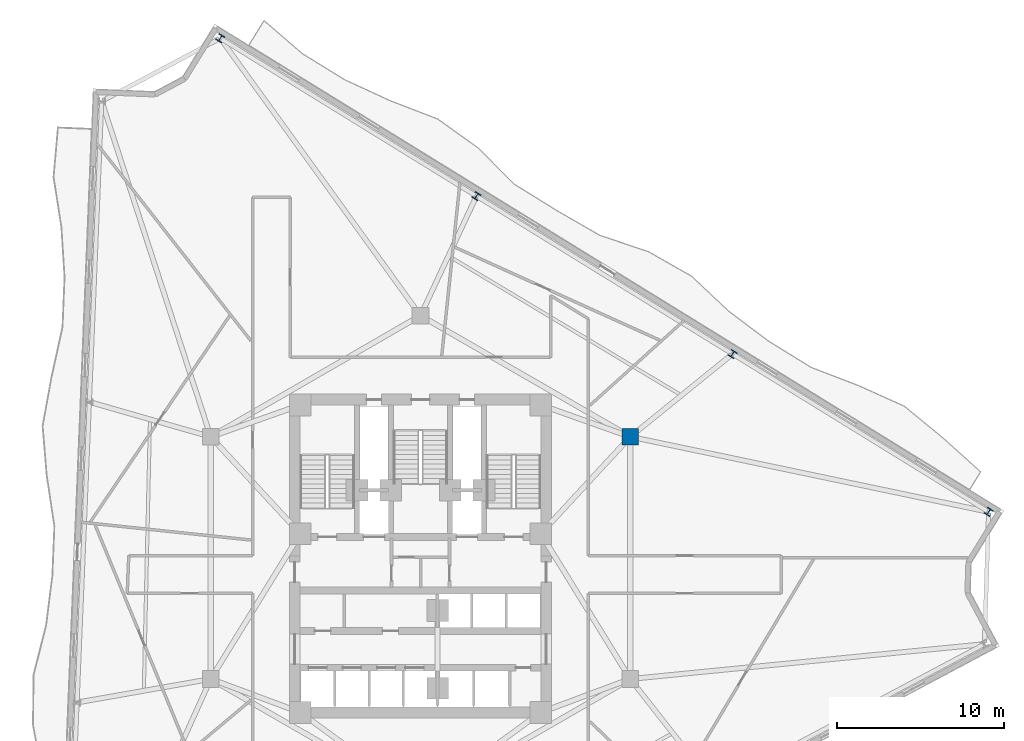
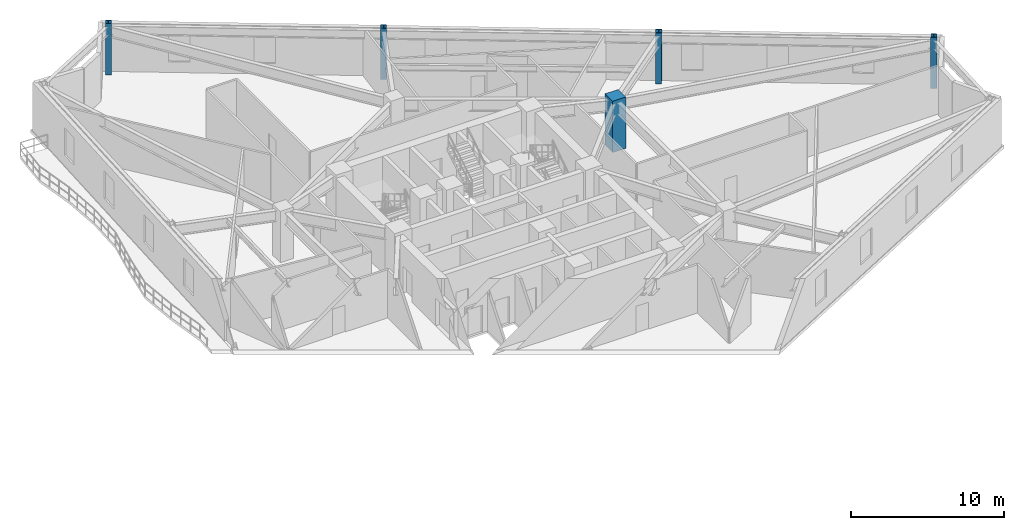
# One storey, part 2 of 10: 5 columns.
"""IFC4 building model written with IfcOpenShell, lengths in metres."""

import ifcopenshell
import ifcopenshell.guid

model = None  # the IFC model being written
_history = None  # IfcOwnerHistory: only IFC2X3 demands one
_inside = {}  # id of a spatial element -> (the spatial element, [elements in it])
_under = {}  # id of a project, library or spatial element -> (it, [spatial elements below it])
_declared = {}  # id of a project -> (the project, [libraries it declares])
_typed = {}  # id of a type object -> (the type object, [elements of that type])
_made_of = {}  # id of a material, layer set ... -> (it, [elements and type objects made of it])


def new_model(schema):
    """Start an empty IFC model of exactly this schema.

    Asked for "IFC4X3", IfcOpenShell would pick the latest addendum, in which some entities
    have other attributes; the version numbers below select the first issue.
    IFC2X3 requires an IfcOwnerHistory on every rooted entity: one is made here for all.
    """
    global model, _history
    if schema == "IFC4X3":
        model = ifcopenshell.file(schema_version=(4, 3, 0, 0))
    else:
        model = ifcopenshell.file(schema=schema)
    _inside.clear()
    _under.clear()
    _declared.clear()
    _typed.clear()
    _made_of.clear()
    _history = None
    if model.schema == "IFC2X3":
        org = make("IfcOrganization", Name="unknown")
        user = make(
            "IfcPersonAndOrganization",
            ThePerson=make("IfcPerson", FamilyName="unknown"),
            TheOrganization=org,
        )
        app = make(
            "IfcApplication",
            ApplicationDeveloper=org,
            Version="unknown",
            ApplicationFullName="unknown",
            ApplicationIdentifier="unknown",
        )
        _history = make(
            "IfcOwnerHistory",
            OwningUser=user,
            OwningApplication=app,
            ChangeAction="ADDED",
            CreationDate=0,
        )
    return model


def make(cls, **values):
    """One entity of the class cls with the attributes given. An attribute that is None is left unset."""
    return model.create_entity(
        cls, **{name: value for name, value in values.items() if value is not None}
    )


def rooted(cls, **values):
    """An entity with a GlobalId (a new one), such as an element, a storey or a relation."""
    return make(cls, GlobalId=ifcopenshell.guid.new(), OwnerHistory=_history, **values)


def si_unit(unit_type, name, prefix=None):
    """IfcSIUnit, for example si_unit("LENGTHUNIT", "METRE", prefix="MILLI")."""
    return make("IfcSIUnit", UnitType=unit_type, Prefix=prefix, Name=name)


def assignment(units):
    """IfcUnitAssignment: the units of a project."""
    return None if units is None else make("IfcUnitAssignment", Units=units)


def point(xyz):
    """IfcCartesianPoint."""
    return None if xyz is None else make("IfcCartesianPoint", Coordinates=xyz)


def direction(xyz):
    """IfcDirection."""
    return None if xyz is None else make("IfcDirection", DirectionRatios=xyz)


def frame(location, z_axis=None, x_axis=None):
    """IfcAxis2Placement3D, a coordinate frame: its origin and axes. An axis left out is left unset."""
    return make(
        "IfcAxis2Placement3D",
        Location=point(location),
        Axis=direction(z_axis),
        RefDirection=direction(x_axis),
    )


def frame_2d(location, x_axis=None):
    """IfcAxis2Placement2D, a coordinate frame in the plane: its origin and x axis."""
    return make(
        "IfcAxis2Placement2D", Location=point(location), RefDirection=direction(x_axis)
    )


def origin():
    """The frame at (0, 0, 0) with its axes left unset."""
    return frame((0.0, 0.0, 0.0))


def origin_2d():
    """The frame at (0, 0) in the plane with its x axis left unset."""
    return frame_2d((0.0, 0.0))


def place(relative_to, where):
    """IfcLocalPlacement: puts the frame where relative to a parent placement (None: the world)."""
    return make(
        "IfcLocalPlacement", PlacementRelTo=relative_to, RelativePlacement=where
    )


def context(
    kind, dimensions, precision=None, world=None, true_north=None, identifier=None
):
    """IfcGeometricRepresentationContext, for example the 3D "Model" context."""
    return make(
        "IfcGeometricRepresentationContext",
        ContextIdentifier=identifier,
        ContextType=kind,
        CoordinateSpaceDimension=dimensions,
        Precision=precision,
        WorldCoordinateSystem=world,
        TrueNorth=true_north,
    )


def subcontext(parent, identifier, kind, view, scale=None):
    """IfcGeometricRepresentationSubContext, for example "Body" below "Model"."""
    return make(
        "IfcGeometricRepresentationSubContext",
        ContextIdentifier=identifier,
        ContextType=kind,
        ParentContext=parent,
        TargetScale=scale,
        TargetView=view,
    )


def project(units=None, contexts=None):
    """IfcProject with its units and contexts."""
    return rooted(
        "IfcProject",
        Name="project",
        RepresentationContexts=contexts,
        UnitsInContext=assignment(units),
    )


def spatial(cls, under=None, at=None, **own):
    """A site, building, storey or space (cls), placed at a placement, below another one or the project."""
    s = rooted(cls, ObjectPlacement=at, **own)
    if under is not None:
        _under.setdefault(under.id(), (under, []))[1].append(s)
    return s


def profile(cls, at=None, kind="AREA", **sizes):
    """A parametric profile (cls). Its sizes go by their IFC names, for example OverallWidth=200.0."""
    return make(cls, ProfileType=kind, Position=at, **sizes)


def rectangle(**sizes):
    """IfcRectangleProfileDef."""
    return profile("IfcRectangleProfileDef", **sizes)


def i_section(**sizes):
    """IfcIShapeProfileDef."""
    return profile("IfcIShapeProfileDef", **sizes)


def extrude(swept, where, along, depth):
    """IfcExtrudedAreaSolid: the profile swept, set in the frame where, extruded along a direction by depth."""
    return make(
        "IfcExtrudedAreaSolid",
        SweptArea=swept,
        Position=where,
        ExtrudedDirection=direction(along),
        Depth=depth,
    )


def shape(context_of_items, identifier, shape_type, items):
    """IfcShapeRepresentation: the items that make up one representation, for example the "Body"."""
    return make(
        "IfcShapeRepresentation",
        ContextOfItems=context_of_items,
        RepresentationIdentifier=identifier,
        RepresentationType=shape_type,
        Items=items,
    )


def material(Name=None, Category=None):
    """IfcMaterial."""
    return make("IfcMaterial", Name=Name, Category=Category)


def material_profile(
    of_material, cross_section, Name=None, Category=None, Priority=None
):
    """IfcMaterialProfile: a cross section and its material."""
    return make(
        "IfcMaterialProfile",
        Name=Name,
        Material=of_material,
        Profile=cross_section,
        Priority=Priority,
        Category=Category,
    )


def profile_set(profiles, Name=None, composite=None):
    """IfcMaterialProfileSet."""
    return make(
        "IfcMaterialProfileSet",
        Name=Name,
        MaterialProfiles=profiles,
        CompositeProfile=composite,
    )


def made_of(thing, what):
    """Note that an element or type object is made of a material, layer set ...; save() writes the relation."""
    if what is not None:
        _made_of.setdefault(what.id(), (what, []))[1].append(thing)
    return thing


def type_object(cls, material=None, **own):
    """A type object (cls), such as IfcWallType, which elements share."""
    return made_of(rooted(cls, **own), material)


def element(
    cls,
    number,
    at=None,
    inside=None,
    cuts=None,
    type_object=None,
    material=None,
    context=None,
    identifier="Body",
    shape_type=None,
    held_by="IfcProductDefinitionShape",
    body=None,
    shapes=None,
    **own,
):
    """One element of the class cls, such as IfcWall. Its Tag is "e" and its number.

    at: its placement. inside: the storey or other place that contains it. cuts: it is an
    opening in that element (IfcRelVoidsElement). A single representation is given by context,
    identifier, shape_type and body (its items); several are given by shapes. held_by: the class
    of the entity that holds the representations. save() writes the other relations.
    """
    e = rooted(cls, Tag="e%d" % number, ObjectPlacement=at, **own)
    if body is not None:
        shapes = [shape(context, identifier, shape_type, body)]
    if shapes is not None:
        e.Representation = make(held_by, Representations=shapes)
    if inside is not None:
        _inside.setdefault(inside.id(), (inside, []))[1].append(e)
    if cuts is not None:
        rooted(
            "IfcRelVoidsElement", RelatingBuildingElement=cuts, RelatedOpeningElement=e
        )
    if type_object is not None:
        _typed.setdefault(type_object.id(), (type_object, []))[1].append(e)
    return made_of(e, material)


def aggregate(whole, parts):
    """IfcRelAggregates: a whole, such as a stair, and the parts it consists of."""
    return rooted("IfcRelAggregates", RelatingObject=whole, RelatedObjects=parts)


def save(model, path):
    """Write the relations noted so far, then the file.

    IfcRelAggregates (storeys below a building ...), IfcRelContainedInSpatialStructure (elements
    in a storey), IfcRelDefinesByType, IfcRelAssociatesMaterial and IfcRelDeclares: one each for
    every whole, place, type object, material and project.
    """
    for whole, parts in _under.values():
        aggregate(whole, parts)
    for where, things in _inside.values():
        rooted(
            "IfcRelContainedInSpatialStructure",
            RelatedElements=things,
            RelatingStructure=where,
        )
    for kind, things in _typed.values():
        rooted("IfcRelDefinesByType", RelatedObjects=things, RelatingType=kind)
    for what, things in _made_of.values():
        rooted("IfcRelAssociatesMaterial", RelatedObjects=things, RelatingMaterial=what)
    for by, libraries in _declared.values():
        rooted("IfcRelDeclares", RelatingContext=by, RelatedDefinitions=libraries)
    model.write(path)


model = new_model("IFC4")

# Units and contexts
model_context = context("Model", 3, precision=1e-05, world=origin(), true_north=direction((0.0, 1.0)))
body_context = subcontext(model_context, "Body", "Model", "MODEL_VIEW")
ifc_project = project(units=[si_unit("LENGTHUNIT", "METRE"), si_unit("AREAUNIT", "SQUARE_METRE"), si_unit("VOLUMEUNIT", "CUBIC_METRE"), si_unit("PLANEANGLEUNIT", "RADIAN"), si_unit("MASSUNIT", "GRAM", prefix="KILO")], contexts=[model_context])

# Site, building, storey
site_placement = place(None, origin())
site = spatial("IfcSite", under=ifc_project, at=site_placement, CompositionType="ELEMENT")
building_placement = place(site_placement, origin())
building = spatial("IfcBuilding", under=site, at=building_placement, Name="Apsidion Concourse Tower", CompositionType="ELEMENT")
storey_placement = place(building_placement, frame((0.0, 0.0, 177.800048828125)))
storey = spatial("IfcBuildingStorey", under=building, at=storey_placement, Name="L41", CompositionType="ELEMENT", Elevation=177.800048828125)

# Columns
ifc_material_1 = material(Name="Concrete C50/60", Category="concrete")
ifc_material_profile_1 = material_profile(ifc_material_1, rectangle(XDim=1.0, YDim=1.0, at=origin_2d()), Name="RC 1000x1000")
ifc_profile_set_1 = profile_set([ifc_material_profile_1], Name="Concrete C50/60")
column_type_1 = type_object("IfcColumnType", Name="COL-RC-1000", PredefinedType="COLUMN", material=ifc_profile_set_1)
column_placement = place(storey_placement, frame((12.56005859375, 7.25, 0.0), z_axis=(0.0, 0.0, 1.0), x_axis=(1.0, 0.0, 0.0)))
element("IfcColumn", 1, at=column_placement, inside=storey, type_object=column_type_1, Name="L41 Interior Spine Column IC3", PredefinedType="COLUMN", context=body_context, shape_type="SweptSolid", body=[
    extrude(rectangle(XDim=1.0, YDim=1.0, at=origin_2d()), origin(), (0.0, 0.0, 1.0), 4.099853515625),
])
ifc_material_2 = material(Name="Structural steel ASTM A992 Grade 50", Category="steel")
ifc_material_profile_2 = material_profile(ifc_material_2, i_section(OverallWidth=0.406005859375, OverallDepth=0.4169921875, WebThickness=0.02978515625, FlangeThickness=0.048095703125, at=origin_2d()), Name="W14X257")
ifc_profile_set_2 = profile_set([ifc_material_profile_2], Name="Structural steel ASTM A992 Grade 50")
column_type_2 = type_object("IfcColumnType", Name="COL-W14-257", PredefinedType="COLUMN", material=ifc_profile_set_2)
for number, where, z_axis, x_axis, name in (
    (2, (34.010986328125, 2.751708984375, 0.0), (0.0, 0.0, 1.0), (-0.851269345923, 0.524728978323, 0.0), "L41 Rotated Perimeter Column PC09"),
    (3, (18.6787109375, 12.203369140625, 0.0), (0.0, 0.0, 1.0), (-0.851269345923, 0.524728978323, 0.0), "L41 Rotated Perimeter Column PC10"),
    (4, (3.346435546875, 21.655029296875, 0.0), (0.0, 0.0, 1.0), (-0.851269345923, 0.524728978323, 0.0), "L41 Rotated Perimeter Column PC11"),
    (5, (-11.98583984375, 31.106689453125, 0.0), (0.0, 0.0, 1.0), (-0.851269345923, 0.524728978323, 0.0), "L41 Rotated Perimeter Column PC12"),
):
    element("IfcColumn", number, at=place(storey_placement, frame(where, z_axis=z_axis, x_axis=x_axis)), inside=storey, type_object=column_type_2, Name=name, PredefinedType="COLUMN", context=body_context, shape_type="SweptSolid", body=[
        extrude(i_section(OverallWidth=0.406005859375, OverallDepth=0.4169921875, WebThickness=0.02978515625, FlangeThickness=0.048095703125, at=origin_2d()), origin(), (0.0, 0.0, 1.0), 4.099853515625),
    ])

save(model, "model.ifc")
